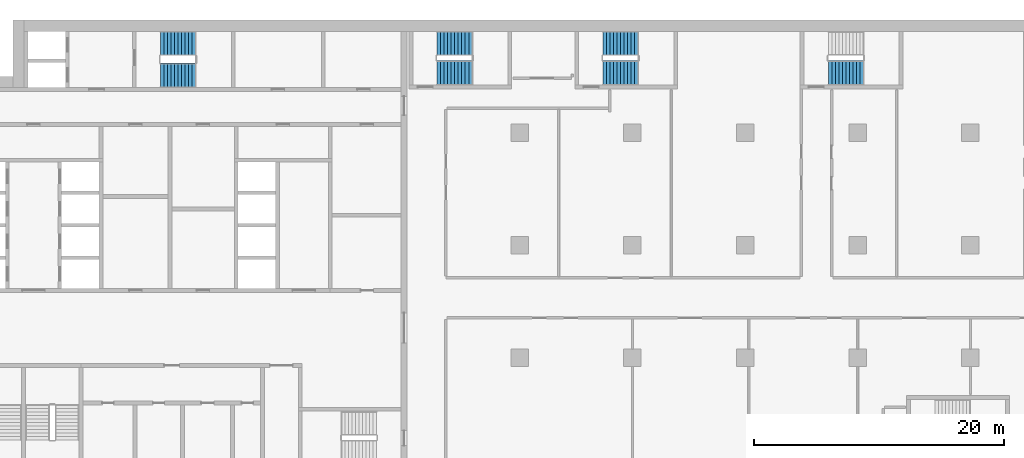
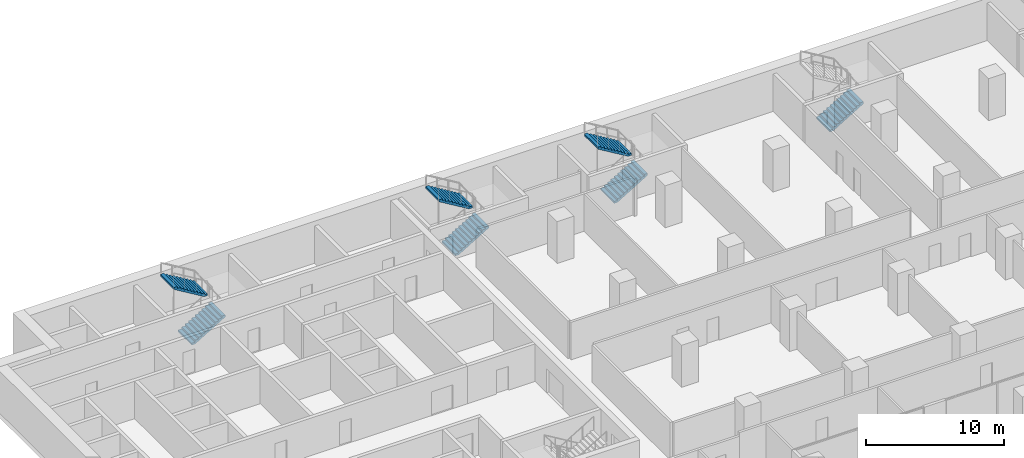
# One storey, part 22 of 29: 7 stair flights, 4 elements without a shape of their own.
"""IFC4 building model written with IfcOpenShell, lengths in metres."""

from ifc_helpers import new_model, si_unit, direction, frame, origin, place, context, subcontext, project, spatial, polyline, outline, extrude, material, type_object, element, aggregate, save


model = new_model("IFC4")

# Units and contexts
model_context = context("Model", 3, precision=1e-05, world=origin(), true_north=direction((0.0, 1.0)))
body_context = subcontext(model_context, "Body", "Model", "MODEL_VIEW")
ifc_project = project(units=[si_unit("LENGTHUNIT", "METRE"), si_unit("AREAUNIT", "SQUARE_METRE"), si_unit("VOLUMEUNIT", "CUBIC_METRE"), si_unit("PLANEANGLEUNIT", "RADIAN"), si_unit("MASSUNIT", "GRAM", prefix="KILO")], contexts=[model_context])

# Site, building, storey
site_placement = place(None, origin())
site = spatial("IfcSite", under=ifc_project, at=site_placement, CompositionType="ELEMENT")
building_placement = place(site_placement, origin())
building = spatial("IfcBuilding", under=site, at=building_placement, Name="Hunhe Ridgeline Campus", CompositionType="ELEMENT")
storey_placement = place(building_placement, frame((0.0, 0.0, 65.39990234375)))
storey = spatial("IfcBuildingStorey", under=building, at=storey_placement, Name="L15", CompositionType="ELEMENT", Elevation=65.39990234375)

# Stair, stair flights
ifc_material = material(Name="Concrete C40", Category="concrete")
stair_type = type_object("IfcStairType", Name="Reinforced concrete dog-leg stair 1950 Concrete C40", PredefinedType="HALF_TURN_STAIR", material=ifc_material)
stair_1_placement = place(storey_placement, origin())
stair_1 = element("IfcStair", 1, at=stair_1_placement, inside=storey, type_object=stair_type, Name="L15 S1", PredefinedType="HALF_TURN_STAIR")
stair_flight_type = type_object("IfcStairFlightType", Name="Reinforced concrete stair flight 1950 Concrete C40", PredefinedType="STRAIGHT", material=ifc_material)
stair_flight_1_placement = place(storey_placement, frame((16.300048828125, 94.574951171875, 0.0), z_axis=(0.0, 0.0, 1.0), x_axis=(1.0, 0.0, 0.0)))
stair_flight_1 = element("IfcStairFlight", 2, at=stair_flight_1_placement, type_object=stair_flight_type, Name="ST1 flight 1", NumberOfRisers=11, NumberOfTreads=10, PredefinedType="STRAIGHT", RiserHeight=0.168181818, TreadLength=0.28, context=body_context, shape_type="SweptSolid", body=[
    extrude(outline(polyline([(0.0, 0.0), (0.0, 0.168212890625), (0.280029296875, 0.168212890625), (0.280029296875, 0.33642578125), (0.56005859375, 0.33642578125), (0.56005859375, 0.504638671875), (0.840087890625, 0.504638671875), (0.840087890625, 0.672607421875), (1.1201171875, 0.672607421875), (1.1201171875, 0.8408203125), (1.39990234375, 0.8408203125), (1.39990234375, 1.009033203125), (1.679931640625, 1.009033203125), (1.679931640625, 1.17724609375), (1.9599609375, 1.17724609375), (1.9599609375, 1.345458984375), (2.239990234375, 1.345458984375), (2.239990234375, 1.513671875), (2.52001953125, 1.513671875), (2.52001953125, 1.681884765625), (2.800048828125, 1.681884765625), (2.800048828125, 1.85009765625), (2.800048828125, 1.5068359375), (0.291015625, 0.0), (0.0, 0.0)])), frame((0.0, 0.97509765625, 0.0), z_axis=(0.0, -1.0, 0.0), x_axis=(1.0, 0.0, 0.0)), (0.0, 0.0, 1.0), 1.949951171875),
    extrude(outline(polyline([(0.030029296875, 0.030029296875), (0.030029296875, 0.13818359375), (0.31005859375, 0.13818359375), (0.31005859375, 0.306396484375), (0.590087890625, 0.306396484375), (0.590087890625, 0.474609375), (0.8701171875, 0.474609375), (0.8701171875, 0.642578125), (1.14990234375, 0.642578125), (1.14990234375, 0.810791015625), (1.429931640625, 0.810791015625), (1.429931640625, 0.97900390625), (1.7099609375, 0.97900390625), (1.7099609375, 1.147216796875), (1.989990234375, 1.147216796875), (1.989990234375, 1.3154296875), (2.27001953125, 1.3154296875), (2.27001953125, 1.483642578125), (2.550048828125, 1.483642578125), (2.550048828125, 1.65185546875), (2.77001953125, 1.65185546875), (2.77001953125, 1.52392578125), (0.28271484375, 0.030029296875), (0.030029296875, 0.030029296875)])), frame((0.0, -0.070068359375, 0.0), z_axis=(0.0, -1.0, 0.0), x_axis=(1.0, 0.0, 0.0)), (0.0, 0.0, 1.0), 0.019775390625),
    extrude(outline(polyline([(0.030029296875, 0.030029296875), (0.030029296875, 0.13818359375), (0.31005859375, 0.13818359375), (0.31005859375, 0.306396484375), (0.590087890625, 0.306396484375), (0.590087890625, 0.474609375), (0.8701171875, 0.474609375), (0.8701171875, 0.642578125), (1.14990234375, 0.642578125), (1.14990234375, 0.810791015625), (1.429931640625, 0.810791015625), (1.429931640625, 0.97900390625), (1.7099609375, 0.97900390625), (1.7099609375, 1.147216796875), (1.989990234375, 1.147216796875), (1.989990234375, 1.3154296875), (2.27001953125, 1.3154296875), (2.27001953125, 1.483642578125), (2.550048828125, 1.483642578125), (2.550048828125, 1.65185546875), (2.77001953125, 1.65185546875), (2.77001953125, 1.52392578125), (0.28271484375, 0.030029296875), (0.030029296875, 0.030029296875)])), frame((0.0, 0.010009765625, 0.0), z_axis=(0.0, -1.0, 0.0), x_axis=(1.0, 0.0, 0.0)), (0.0, 0.0, 1.0), 0.019775390625),
    extrude(outline(polyline([(0.030029296875, 0.030029296875), (0.030029296875, 0.13818359375), (0.31005859375, 0.13818359375), (0.31005859375, 0.306396484375), (0.590087890625, 0.306396484375), (0.590087890625, 0.474609375), (0.8701171875, 0.474609375), (0.8701171875, 0.642578125), (1.14990234375, 0.642578125), (1.14990234375, 0.810791015625), (1.429931640625, 0.810791015625), (1.429931640625, 0.97900390625), (1.7099609375, 0.97900390625), (1.7099609375, 1.147216796875), (1.989990234375, 1.147216796875), (1.989990234375, 1.3154296875), (2.27001953125, 1.3154296875), (2.27001953125, 1.483642578125), (2.550048828125, 1.483642578125), (2.550048828125, 1.65185546875), (2.77001953125, 1.65185546875), (2.77001953125, 1.52392578125), (0.28271484375, 0.030029296875), (0.030029296875, 0.030029296875)])), frame((0.0, 0.090087890625, 0.0), z_axis=(0.0, -1.0, 0.0), x_axis=(1.0, 0.0, 0.0)), (0.0, 0.0, 1.0), 0.019775390625),
])
stair_flight_2_placement = place(storey_placement, frame((19.10009765625, 97.125, 1.85009765625), z_axis=(0.0, 0.0, 1.0), x_axis=(-1.0, 0.0, 0.0)))
stair_flight_2 = element("IfcStairFlight", 3, at=stair_flight_2_placement, type_object=stair_flight_type, Name="ST1 flight 2", NumberOfRisers=11, NumberOfTreads=10, PredefinedType="STRAIGHT", RiserHeight=0.168181818, TreadLength=0.28, context=body_context, shape_type="SweptSolid", body=[
    extrude(outline(polyline([(0.0, 0.0), (0.0, 0.168212890625), (0.280029296875, 0.168212890625), (0.280029296875, 0.33642578125), (0.56005859375, 0.33642578125), (0.56005859375, 0.504638671875), (0.840087890625, 0.504638671875), (0.840087890625, 0.672607421875), (1.1201171875, 0.672607421875), (1.1201171875, 0.8408203125), (1.39990234375, 0.8408203125), (1.39990234375, 1.009033203125), (1.679931640625, 1.009033203125), (1.679931640625, 1.17724609375), (1.9599609375, 1.17724609375), (1.9599609375, 1.345458984375), (2.239990234375, 1.345458984375), (2.239990234375, 1.513671875), (2.52001953125, 1.513671875), (2.52001953125, 1.681884765625), (2.800048828125, 1.681884765625), (2.800048828125, 1.85009765625), (2.800048828125, 1.5068359375), (0.291015625, 0.0), (0.0, 0.0)])), frame((0.0, 0.97509765625, 0.0), z_axis=(0.0, -1.0, 0.0), x_axis=(1.0, 0.0, 0.0)), (0.0, 0.0, 1.0), 1.949951171875),
    extrude(outline(polyline([(0.030029296875, 0.030029296875), (0.030029296875, 0.13818359375), (0.31005859375, 0.13818359375), (0.31005859375, 0.306396484375), (0.590087890625, 0.306396484375), (0.590087890625, 0.474609375), (0.8701171875, 0.474609375), (0.8701171875, 0.642578125), (1.14990234375, 0.642578125), (1.14990234375, 0.810791015625), (1.429931640625, 0.810791015625), (1.429931640625, 0.97900390625), (1.7099609375, 0.97900390625), (1.7099609375, 1.147216796875), (1.989990234375, 1.147216796875), (1.989990234375, 1.3154296875), (2.27001953125, 1.3154296875), (2.27001953125, 1.483642578125), (2.550048828125, 1.483642578125), (2.550048828125, 1.65185546875), (2.77001953125, 1.65185546875), (2.77001953125, 1.52392578125), (0.28271484375, 0.030029296875), (0.030029296875, 0.030029296875)])), frame((0.0, -0.070068359375, 0.0), z_axis=(0.0, -1.0, 0.0), x_axis=(1.0, 0.0, 0.0)), (0.0, 0.0, 1.0), 0.019775390625),
    extrude(outline(polyline([(0.030029296875, 0.030029296875), (0.030029296875, 0.13818359375), (0.31005859375, 0.13818359375), (0.31005859375, 0.306396484375), (0.590087890625, 0.306396484375), (0.590087890625, 0.474609375), (0.8701171875, 0.474609375), (0.8701171875, 0.642578125), (1.14990234375, 0.642578125), (1.14990234375, 0.810791015625), (1.429931640625, 0.810791015625), (1.429931640625, 0.97900390625), (1.7099609375, 0.97900390625), (1.7099609375, 1.147216796875), (1.989990234375, 1.147216796875), (1.989990234375, 1.3154296875), (2.27001953125, 1.3154296875), (2.27001953125, 1.483642578125), (2.550048828125, 1.483642578125), (2.550048828125, 1.65185546875), (2.77001953125, 1.65185546875), (2.77001953125, 1.52392578125), (0.28271484375, 0.030029296875), (0.030029296875, 0.030029296875)])), frame((0.0, 0.010009765625, 0.0), z_axis=(0.0, -1.0, 0.0), x_axis=(1.0, 0.0, 0.0)), (0.0, 0.0, 1.0), 0.019775390625),
    extrude(outline(polyline([(0.030029296875, 0.030029296875), (0.030029296875, 0.13818359375), (0.31005859375, 0.13818359375), (0.31005859375, 0.306396484375), (0.590087890625, 0.306396484375), (0.590087890625, 0.474609375), (0.8701171875, 0.474609375), (0.8701171875, 0.642578125), (1.14990234375, 0.642578125), (1.14990234375, 0.810791015625), (1.429931640625, 0.810791015625), (1.429931640625, 0.97900390625), (1.7099609375, 0.97900390625), (1.7099609375, 1.147216796875), (1.989990234375, 1.147216796875), (1.989990234375, 1.3154296875), (2.27001953125, 1.3154296875), (2.27001953125, 1.483642578125), (2.550048828125, 1.483642578125), (2.550048828125, 1.65185546875), (2.77001953125, 1.65185546875), (2.77001953125, 1.52392578125), (0.28271484375, 0.030029296875), (0.030029296875, 0.030029296875)])), frame((0.0, 0.090087890625, 0.0), z_axis=(0.0, -1.0, 0.0), x_axis=(1.0, 0.0, 0.0)), (0.0, 0.0, 1.0), 0.019775390625),
])
aggregate(stair_1, [stair_flight_1, stair_flight_2])

stair_2_placement = place(storey_placement, origin())
stair_2 = element("IfcStair", 4, at=stair_2_placement, inside=storey, type_object=stair_type, Name="L15 E1", PredefinedType="HALF_TURN_STAIR")
stair_flight_3_placement = place(storey_placement, frame((38.39990234375, 94.77490234375, 0.0), z_axis=(0.0, 0.0, 1.0), x_axis=(1.0, 0.0, 0.0)))
stair_flight_3 = element("IfcStairFlight", 5, at=stair_flight_3_placement, type_object=stair_flight_type, Name="ST5 flight 1", NumberOfRisers=11, NumberOfTreads=10, PredefinedType="STRAIGHT", RiserHeight=0.168181818, TreadLength=0.28, context=body_context, shape_type="SweptSolid", body=[
    extrude(outline(polyline([(0.0, 0.0), (0.0, 0.168212890625), (0.280029296875, 0.168212890625), (0.280029296875, 0.33642578125), (0.56005859375, 0.33642578125), (0.56005859375, 0.504638671875), (0.840087890625, 0.504638671875), (0.840087890625, 0.672607421875), (1.1201171875, 0.672607421875), (1.1201171875, 0.8408203125), (1.39990234375, 0.8408203125), (1.39990234375, 1.009033203125), (1.679931640625, 1.009033203125), (1.679931640625, 1.17724609375), (1.9599609375, 1.17724609375), (1.9599609375, 1.345458984375), (2.239990234375, 1.345458984375), (2.239990234375, 1.513671875), (2.52001953125, 1.513671875), (2.52001953125, 1.681884765625), (2.800048828125, 1.681884765625), (2.800048828125, 1.85009765625), (2.800048828125, 1.5068359375), (0.291015625, 0.0), (0.0, 0.0)])), frame((0.0, 0.97509765625, 0.0), z_axis=(0.0, -1.0, 0.0), x_axis=(1.0, 0.0, 0.0)), (0.0, 0.0, 1.0), 1.949951171875),
    extrude(outline(polyline([(0.030029296875, 0.030029296875), (0.030029296875, 0.13818359375), (0.31005859375, 0.13818359375), (0.31005859375, 0.306396484375), (0.590087890625, 0.306396484375), (0.590087890625, 0.474609375), (0.8701171875, 0.474609375), (0.8701171875, 0.642578125), (1.14990234375, 0.642578125), (1.14990234375, 0.810791015625), (1.429931640625, 0.810791015625), (1.429931640625, 0.97900390625), (1.7099609375, 0.97900390625), (1.7099609375, 1.147216796875), (1.989990234375, 1.147216796875), (1.989990234375, 1.3154296875), (2.27001953125, 1.3154296875), (2.27001953125, 1.483642578125), (2.550048828125, 1.483642578125), (2.550048828125, 1.65185546875), (2.77001953125, 1.65185546875), (2.77001953125, 1.52392578125), (0.28271484375, 0.030029296875), (0.030029296875, 0.030029296875)])), frame((0.0, -0.070068359375, 0.0), z_axis=(0.0, -1.0, 0.0), x_axis=(1.0, 0.0, 0.0)), (0.0, 0.0, 1.0), 0.019775390625),
    extrude(outline(polyline([(0.030029296875, 0.030029296875), (0.030029296875, 0.13818359375), (0.31005859375, 0.13818359375), (0.31005859375, 0.306396484375), (0.590087890625, 0.306396484375), (0.590087890625, 0.474609375), (0.8701171875, 0.474609375), (0.8701171875, 0.642578125), (1.14990234375, 0.642578125), (1.14990234375, 0.810791015625), (1.429931640625, 0.810791015625), (1.429931640625, 0.97900390625), (1.7099609375, 0.97900390625), (1.7099609375, 1.147216796875), (1.989990234375, 1.147216796875), (1.989990234375, 1.3154296875), (2.27001953125, 1.3154296875), (2.27001953125, 1.483642578125), (2.550048828125, 1.483642578125), (2.550048828125, 1.65185546875), (2.77001953125, 1.65185546875), (2.77001953125, 1.52392578125), (0.28271484375, 0.030029296875), (0.030029296875, 0.030029296875)])), frame((0.0, 0.010009765625, 0.0), z_axis=(0.0, -1.0, 0.0), x_axis=(1.0, 0.0, 0.0)), (0.0, 0.0, 1.0), 0.019775390625),
    extrude(outline(polyline([(0.030029296875, 0.030029296875), (0.030029296875, 0.13818359375), (0.31005859375, 0.13818359375), (0.31005859375, 0.306396484375), (0.590087890625, 0.306396484375), (0.590087890625, 0.474609375), (0.8701171875, 0.474609375), (0.8701171875, 0.642578125), (1.14990234375, 0.642578125), (1.14990234375, 0.810791015625), (1.429931640625, 0.810791015625), (1.429931640625, 0.97900390625), (1.7099609375, 0.97900390625), (1.7099609375, 1.147216796875), (1.989990234375, 1.147216796875), (1.989990234375, 1.3154296875), (2.27001953125, 1.3154296875), (2.27001953125, 1.483642578125), (2.550048828125, 1.483642578125), (2.550048828125, 1.65185546875), (2.77001953125, 1.65185546875), (2.77001953125, 1.52392578125), (0.28271484375, 0.030029296875), (0.030029296875, 0.030029296875)])), frame((0.0, 0.090087890625, 0.0), z_axis=(0.0, -1.0, 0.0), x_axis=(1.0, 0.0, 0.0)), (0.0, 0.0, 1.0), 0.019775390625),
])
stair_flight_4_placement = place(storey_placement, frame((41.199951171875, 97.125, 1.85009765625), z_axis=(0.0, 0.0, 1.0), x_axis=(-1.0, 0.0, 0.0)))
stair_flight_4 = element("IfcStairFlight", 6, at=stair_flight_4_placement, type_object=stair_flight_type, Name="ST5 flight 2", NumberOfRisers=11, NumberOfTreads=10, PredefinedType="STRAIGHT", RiserHeight=0.168181818, TreadLength=0.28, context=body_context, shape_type="SweptSolid", body=[
    extrude(outline(polyline([(0.0, 0.0), (0.0, 0.168212890625), (0.280029296875, 0.168212890625), (0.280029296875, 0.33642578125), (0.56005859375, 0.33642578125), (0.56005859375, 0.504638671875), (0.840087890625, 0.504638671875), (0.840087890625, 0.672607421875), (1.1201171875, 0.672607421875), (1.1201171875, 0.8408203125), (1.39990234375, 0.8408203125), (1.39990234375, 1.009033203125), (1.679931640625, 1.009033203125), (1.679931640625, 1.17724609375), (1.9599609375, 1.17724609375), (1.9599609375, 1.345458984375), (2.239990234375, 1.345458984375), (2.239990234375, 1.513671875), (2.52001953125, 1.513671875), (2.52001953125, 1.681884765625), (2.800048828125, 1.681884765625), (2.800048828125, 1.85009765625), (2.800048828125, 1.5068359375), (0.291015625, 0.0), (0.0, 0.0)])), frame((0.0, 0.97509765625, 0.0), z_axis=(0.0, -1.0, 0.0), x_axis=(1.0, 0.0, 0.0)), (0.0, 0.0, 1.0), 1.949951171875),
    extrude(outline(polyline([(0.030029296875, 0.030029296875), (0.030029296875, 0.13818359375), (0.31005859375, 0.13818359375), (0.31005859375, 0.306396484375), (0.590087890625, 0.306396484375), (0.590087890625, 0.474609375), (0.8701171875, 0.474609375), (0.8701171875, 0.642578125), (1.14990234375, 0.642578125), (1.14990234375, 0.810791015625), (1.429931640625, 0.810791015625), (1.429931640625, 0.97900390625), (1.7099609375, 0.97900390625), (1.7099609375, 1.147216796875), (1.989990234375, 1.147216796875), (1.989990234375, 1.3154296875), (2.27001953125, 1.3154296875), (2.27001953125, 1.483642578125), (2.550048828125, 1.483642578125), (2.550048828125, 1.65185546875), (2.77001953125, 1.65185546875), (2.77001953125, 1.52392578125), (0.28271484375, 0.030029296875), (0.030029296875, 0.030029296875)])), frame((0.0, -0.070068359375, 0.0), z_axis=(0.0, -1.0, 0.0), x_axis=(1.0, 0.0, 0.0)), (0.0, 0.0, 1.0), 0.019775390625),
    extrude(outline(polyline([(0.030029296875, 0.030029296875), (0.030029296875, 0.13818359375), (0.31005859375, 0.13818359375), (0.31005859375, 0.306396484375), (0.590087890625, 0.306396484375), (0.590087890625, 0.474609375), (0.8701171875, 0.474609375), (0.8701171875, 0.642578125), (1.14990234375, 0.642578125), (1.14990234375, 0.810791015625), (1.429931640625, 0.810791015625), (1.429931640625, 0.97900390625), (1.7099609375, 0.97900390625), (1.7099609375, 1.147216796875), (1.989990234375, 1.147216796875), (1.989990234375, 1.3154296875), (2.27001953125, 1.3154296875), (2.27001953125, 1.483642578125), (2.550048828125, 1.483642578125), (2.550048828125, 1.65185546875), (2.77001953125, 1.65185546875), (2.77001953125, 1.52392578125), (0.28271484375, 0.030029296875), (0.030029296875, 0.030029296875)])), frame((0.0, 0.010009765625, 0.0), z_axis=(0.0, -1.0, 0.0), x_axis=(1.0, 0.0, 0.0)), (0.0, 0.0, 1.0), 0.019775390625),
    extrude(outline(polyline([(0.030029296875, 0.030029296875), (0.030029296875, 0.13818359375), (0.31005859375, 0.13818359375), (0.31005859375, 0.306396484375), (0.590087890625, 0.306396484375), (0.590087890625, 0.474609375), (0.8701171875, 0.474609375), (0.8701171875, 0.642578125), (1.14990234375, 0.642578125), (1.14990234375, 0.810791015625), (1.429931640625, 0.810791015625), (1.429931640625, 0.97900390625), (1.7099609375, 0.97900390625), (1.7099609375, 1.147216796875), (1.989990234375, 1.147216796875), (1.989990234375, 1.3154296875), (2.27001953125, 1.3154296875), (2.27001953125, 1.483642578125), (2.550048828125, 1.483642578125), (2.550048828125, 1.65185546875), (2.77001953125, 1.65185546875), (2.77001953125, 1.52392578125), (0.28271484375, 0.030029296875), (0.030029296875, 0.030029296875)])), frame((0.0, 0.090087890625, 0.0), z_axis=(0.0, -1.0, 0.0), x_axis=(1.0, 0.0, 0.0)), (0.0, 0.0, 1.0), 0.019775390625),
])
aggregate(stair_2, [stair_flight_3, stair_flight_4])

stair_3_placement = place(storey_placement, origin())
stair_3 = element("IfcStair", 7, at=stair_3_placement, inside=storey, type_object=stair_type, Name="L15 E2", PredefinedType="HALF_TURN_STAIR")
stair_flight_5_placement = place(storey_placement, frame((51.64990234375, 94.77490234375, 0.0), z_axis=(0.0, 0.0, 1.0), x_axis=(1.0, 0.0, 0.0)))
stair_flight_5 = element("IfcStairFlight", 8, at=stair_flight_5_placement, type_object=stair_flight_type, Name="ST6 flight 1", NumberOfRisers=11, NumberOfTreads=10, PredefinedType="STRAIGHT", RiserHeight=0.168181818, TreadLength=0.28, context=body_context, shape_type="SweptSolid", body=[
    extrude(outline(polyline([(0.0, 0.0), (0.0, 0.168212890625), (0.280029296875, 0.168212890625), (0.280029296875, 0.33642578125), (0.56005859375, 0.33642578125), (0.56005859375, 0.504638671875), (0.840087890625, 0.504638671875), (0.840087890625, 0.672607421875), (1.1201171875, 0.672607421875), (1.1201171875, 0.8408203125), (1.39990234375, 0.8408203125), (1.39990234375, 1.009033203125), (1.679931640625, 1.009033203125), (1.679931640625, 1.17724609375), (1.9599609375, 1.17724609375), (1.9599609375, 1.345458984375), (2.239990234375, 1.345458984375), (2.239990234375, 1.513671875), (2.52001953125, 1.513671875), (2.52001953125, 1.681884765625), (2.800048828125, 1.681884765625), (2.800048828125, 1.85009765625), (2.800048828125, 1.5068359375), (0.291015625, 0.0), (0.0, 0.0)])), frame((0.0, 0.97509765625, 0.0), z_axis=(0.0, -1.0, 0.0), x_axis=(1.0, 0.0, 0.0)), (0.0, 0.0, 1.0), 1.949951171875),
    extrude(outline(polyline([(0.030029296875, 0.030029296875), (0.030029296875, 0.13818359375), (0.31005859375, 0.13818359375), (0.31005859375, 0.306396484375), (0.590087890625, 0.306396484375), (0.590087890625, 0.474609375), (0.8701171875, 0.474609375), (0.8701171875, 0.642578125), (1.14990234375, 0.642578125), (1.14990234375, 0.810791015625), (1.429931640625, 0.810791015625), (1.429931640625, 0.97900390625), (1.7099609375, 0.97900390625), (1.7099609375, 1.147216796875), (1.989990234375, 1.147216796875), (1.989990234375, 1.3154296875), (2.27001953125, 1.3154296875), (2.27001953125, 1.483642578125), (2.550048828125, 1.483642578125), (2.550048828125, 1.65185546875), (2.77001953125, 1.65185546875), (2.77001953125, 1.52392578125), (0.28271484375, 0.030029296875), (0.030029296875, 0.030029296875)])), frame((0.0, -0.070068359375, 0.0), z_axis=(0.0, -1.0, 0.0), x_axis=(1.0, 0.0, 0.0)), (0.0, 0.0, 1.0), 0.019775390625),
    extrude(outline(polyline([(0.030029296875, 0.030029296875), (0.030029296875, 0.13818359375), (0.31005859375, 0.13818359375), (0.31005859375, 0.306396484375), (0.590087890625, 0.306396484375), (0.590087890625, 0.474609375), (0.8701171875, 0.474609375), (0.8701171875, 0.642578125), (1.14990234375, 0.642578125), (1.14990234375, 0.810791015625), (1.429931640625, 0.810791015625), (1.429931640625, 0.97900390625), (1.7099609375, 0.97900390625), (1.7099609375, 1.147216796875), (1.989990234375, 1.147216796875), (1.989990234375, 1.3154296875), (2.27001953125, 1.3154296875), (2.27001953125, 1.483642578125), (2.550048828125, 1.483642578125), (2.550048828125, 1.65185546875), (2.77001953125, 1.65185546875), (2.77001953125, 1.52392578125), (0.28271484375, 0.030029296875), (0.030029296875, 0.030029296875)])), frame((0.0, 0.010009765625, 0.0), z_axis=(0.0, -1.0, 0.0), x_axis=(1.0, 0.0, 0.0)), (0.0, 0.0, 1.0), 0.019775390625),
    extrude(outline(polyline([(0.030029296875, 0.030029296875), (0.030029296875, 0.13818359375), (0.31005859375, 0.13818359375), (0.31005859375, 0.306396484375), (0.590087890625, 0.306396484375), (0.590087890625, 0.474609375), (0.8701171875, 0.474609375), (0.8701171875, 0.642578125), (1.14990234375, 0.642578125), (1.14990234375, 0.810791015625), (1.429931640625, 0.810791015625), (1.429931640625, 0.97900390625), (1.7099609375, 0.97900390625), (1.7099609375, 1.147216796875), (1.989990234375, 1.147216796875), (1.989990234375, 1.3154296875), (2.27001953125, 1.3154296875), (2.27001953125, 1.483642578125), (2.550048828125, 1.483642578125), (2.550048828125, 1.65185546875), (2.77001953125, 1.65185546875), (2.77001953125, 1.52392578125), (0.28271484375, 0.030029296875), (0.030029296875, 0.030029296875)])), frame((0.0, 0.090087890625, 0.0), z_axis=(0.0, -1.0, 0.0), x_axis=(1.0, 0.0, 0.0)), (0.0, 0.0, 1.0), 0.019775390625),
])
stair_flight_6_placement = place(storey_placement, frame((54.449951171875, 97.125, 1.85009765625), z_axis=(0.0, 0.0, 1.0), x_axis=(-1.0, 0.0, 0.0)))
stair_flight_6 = element("IfcStairFlight", 9, at=stair_flight_6_placement, type_object=stair_flight_type, Name="ST6 flight 2", NumberOfRisers=11, NumberOfTreads=10, PredefinedType="STRAIGHT", RiserHeight=0.168181818, TreadLength=0.28, context=body_context, shape_type="SweptSolid", body=[
    extrude(outline(polyline([(0.0, 0.0), (0.0, 0.168212890625), (0.280029296875, 0.168212890625), (0.280029296875, 0.33642578125), (0.56005859375, 0.33642578125), (0.56005859375, 0.504638671875), (0.840087890625, 0.504638671875), (0.840087890625, 0.672607421875), (1.1201171875, 0.672607421875), (1.1201171875, 0.8408203125), (1.39990234375, 0.8408203125), (1.39990234375, 1.009033203125), (1.679931640625, 1.009033203125), (1.679931640625, 1.17724609375), (1.9599609375, 1.17724609375), (1.9599609375, 1.345458984375), (2.239990234375, 1.345458984375), (2.239990234375, 1.513671875), (2.52001953125, 1.513671875), (2.52001953125, 1.681884765625), (2.800048828125, 1.681884765625), (2.800048828125, 1.85009765625), (2.800048828125, 1.5068359375), (0.291015625, 0.0), (0.0, 0.0)])), frame((0.0, 0.97509765625, 0.0), z_axis=(0.0, -1.0, 0.0), x_axis=(1.0, 0.0, 0.0)), (0.0, 0.0, 1.0), 1.949951171875),
    extrude(outline(polyline([(0.030029296875, 0.030029296875), (0.030029296875, 0.13818359375), (0.31005859375, 0.13818359375), (0.31005859375, 0.306396484375), (0.590087890625, 0.306396484375), (0.590087890625, 0.474609375), (0.8701171875, 0.474609375), (0.8701171875, 0.642578125), (1.14990234375, 0.642578125), (1.14990234375, 0.810791015625), (1.429931640625, 0.810791015625), (1.429931640625, 0.97900390625), (1.7099609375, 0.97900390625), (1.7099609375, 1.147216796875), (1.989990234375, 1.147216796875), (1.989990234375, 1.3154296875), (2.27001953125, 1.3154296875), (2.27001953125, 1.483642578125), (2.550048828125, 1.483642578125), (2.550048828125, 1.65185546875), (2.77001953125, 1.65185546875), (2.77001953125, 1.52392578125), (0.28271484375, 0.030029296875), (0.030029296875, 0.030029296875)])), frame((0.0, -0.070068359375, 0.0), z_axis=(0.0, -1.0, 0.0), x_axis=(1.0, 0.0, 0.0)), (0.0, 0.0, 1.0), 0.019775390625),
    extrude(outline(polyline([(0.030029296875, 0.030029296875), (0.030029296875, 0.13818359375), (0.31005859375, 0.13818359375), (0.31005859375, 0.306396484375), (0.590087890625, 0.306396484375), (0.590087890625, 0.474609375), (0.8701171875, 0.474609375), (0.8701171875, 0.642578125), (1.14990234375, 0.642578125), (1.14990234375, 0.810791015625), (1.429931640625, 0.810791015625), (1.429931640625, 0.97900390625), (1.7099609375, 0.97900390625), (1.7099609375, 1.147216796875), (1.989990234375, 1.147216796875), (1.989990234375, 1.3154296875), (2.27001953125, 1.3154296875), (2.27001953125, 1.483642578125), (2.550048828125, 1.483642578125), (2.550048828125, 1.65185546875), (2.77001953125, 1.65185546875), (2.77001953125, 1.52392578125), (0.28271484375, 0.030029296875), (0.030029296875, 0.030029296875)])), frame((0.0, 0.010009765625, 0.0), z_axis=(0.0, -1.0, 0.0), x_axis=(1.0, 0.0, 0.0)), (0.0, 0.0, 1.0), 0.019775390625),
    extrude(outline(polyline([(0.030029296875, 0.030029296875), (0.030029296875, 0.13818359375), (0.31005859375, 0.13818359375), (0.31005859375, 0.306396484375), (0.590087890625, 0.306396484375), (0.590087890625, 0.474609375), (0.8701171875, 0.474609375), (0.8701171875, 0.642578125), (1.14990234375, 0.642578125), (1.14990234375, 0.810791015625), (1.429931640625, 0.810791015625), (1.429931640625, 0.97900390625), (1.7099609375, 0.97900390625), (1.7099609375, 1.147216796875), (1.989990234375, 1.147216796875), (1.989990234375, 1.3154296875), (2.27001953125, 1.3154296875), (2.27001953125, 1.483642578125), (2.550048828125, 1.483642578125), (2.550048828125, 1.65185546875), (2.77001953125, 1.65185546875), (2.77001953125, 1.52392578125), (0.28271484375, 0.030029296875), (0.030029296875, 0.030029296875)])), frame((0.0, 0.090087890625, 0.0), z_axis=(0.0, -1.0, 0.0), x_axis=(1.0, 0.0, 0.0)), (0.0, 0.0, 1.0), 0.019775390625),
])
aggregate(stair_3, [stair_flight_5, stair_flight_6])

# Stair, stair flight
stair_4_placement = place(storey_placement, origin())
stair_4 = element("IfcStair", 10, at=stair_4_placement, inside=storey, type_object=stair_type, Name="L15 E3", PredefinedType="HALF_TURN_STAIR")
stair_flight_7_placement = place(storey_placement, frame((69.64990234375, 94.77490234375, 0.0), z_axis=(0.0, 0.0, 1.0), x_axis=(1.0, 0.0, 0.0)))
stair_flight_7 = element("IfcStairFlight", 11, at=stair_flight_7_placement, type_object=stair_flight_type, Name="ST7 flight 1", NumberOfRisers=11, NumberOfTreads=10, PredefinedType="STRAIGHT", RiserHeight=0.168181818, TreadLength=0.28, context=body_context, shape_type="SweptSolid", body=[
    extrude(outline(polyline([(0.0, 0.0), (0.0, 0.168212890625), (0.280029296875, 0.168212890625), (0.280029296875, 0.33642578125), (0.56005859375, 0.33642578125), (0.56005859375, 0.504638671875), (0.840087890625, 0.504638671875), (0.840087890625, 0.672607421875), (1.1201171875, 0.672607421875), (1.1201171875, 0.8408203125), (1.39990234375, 0.8408203125), (1.39990234375, 1.009033203125), (1.679931640625, 1.009033203125), (1.679931640625, 1.17724609375), (1.9599609375, 1.17724609375), (1.9599609375, 1.345458984375), (2.239990234375, 1.345458984375), (2.239990234375, 1.513671875), (2.52001953125, 1.513671875), (2.52001953125, 1.681884765625), (2.800048828125, 1.681884765625), (2.800048828125, 1.85009765625), (2.800048828125, 1.5068359375), (0.291015625, 0.0), (0.0, 0.0)])), frame((0.0, 0.97509765625, 0.0), z_axis=(0.0, -1.0, 0.0), x_axis=(1.0, 0.0, 0.0)), (0.0, 0.0, 1.0), 1.949951171875),
    extrude(outline(polyline([(0.030029296875, 0.030029296875), (0.030029296875, 0.13818359375), (0.31005859375, 0.13818359375), (0.31005859375, 0.306396484375), (0.590087890625, 0.306396484375), (0.590087890625, 0.474609375), (0.8701171875, 0.474609375), (0.8701171875, 0.642578125), (1.14990234375, 0.642578125), (1.14990234375, 0.810791015625), (1.429931640625, 0.810791015625), (1.429931640625, 0.97900390625), (1.7099609375, 0.97900390625), (1.7099609375, 1.147216796875), (1.989990234375, 1.147216796875), (1.989990234375, 1.3154296875), (2.27001953125, 1.3154296875), (2.27001953125, 1.483642578125), (2.550048828125, 1.483642578125), (2.550048828125, 1.65185546875), (2.77001953125, 1.65185546875), (2.77001953125, 1.52392578125), (0.28271484375, 0.030029296875), (0.030029296875, 0.030029296875)])), frame((0.0, -0.070068359375, 0.0), z_axis=(0.0, -1.0, 0.0), x_axis=(1.0, 0.0, 0.0)), (0.0, 0.0, 1.0), 0.019775390625),
    extrude(outline(polyline([(0.030029296875, 0.030029296875), (0.030029296875, 0.13818359375), (0.31005859375, 0.13818359375), (0.31005859375, 0.306396484375), (0.590087890625, 0.306396484375), (0.590087890625, 0.474609375), (0.8701171875, 0.474609375), (0.8701171875, 0.642578125), (1.14990234375, 0.642578125), (1.14990234375, 0.810791015625), (1.429931640625, 0.810791015625), (1.429931640625, 0.97900390625), (1.7099609375, 0.97900390625), (1.7099609375, 1.147216796875), (1.989990234375, 1.147216796875), (1.989990234375, 1.3154296875), (2.27001953125, 1.3154296875), (2.27001953125, 1.483642578125), (2.550048828125, 1.483642578125), (2.550048828125, 1.65185546875), (2.77001953125, 1.65185546875), (2.77001953125, 1.52392578125), (0.28271484375, 0.030029296875), (0.030029296875, 0.030029296875)])), frame((0.0, 0.010009765625, 0.0), z_axis=(0.0, -1.0, 0.0), x_axis=(1.0, 0.0, 0.0)), (0.0, 0.0, 1.0), 0.019775390625),
    extrude(outline(polyline([(0.030029296875, 0.030029296875), (0.030029296875, 0.13818359375), (0.31005859375, 0.13818359375), (0.31005859375, 0.306396484375), (0.590087890625, 0.306396484375), (0.590087890625, 0.474609375), (0.8701171875, 0.474609375), (0.8701171875, 0.642578125), (1.14990234375, 0.642578125), (1.14990234375, 0.810791015625), (1.429931640625, 0.810791015625), (1.429931640625, 0.97900390625), (1.7099609375, 0.97900390625), (1.7099609375, 1.147216796875), (1.989990234375, 1.147216796875), (1.989990234375, 1.3154296875), (2.27001953125, 1.3154296875), (2.27001953125, 1.483642578125), (2.550048828125, 1.483642578125), (2.550048828125, 1.65185546875), (2.77001953125, 1.65185546875), (2.77001953125, 1.52392578125), (0.28271484375, 0.030029296875), (0.030029296875, 0.030029296875)])), frame((0.0, 0.090087890625, 0.0), z_axis=(0.0, -1.0, 0.0), x_axis=(1.0, 0.0, 0.0)), (0.0, 0.0, 1.0), 0.019775390625),
])
aggregate(stair_4, [stair_flight_7])

save(model, "model.ifc")
